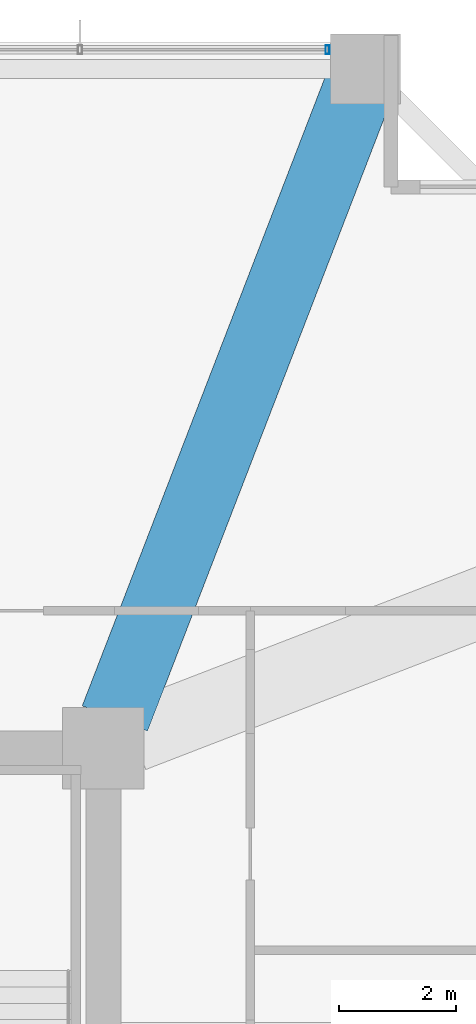
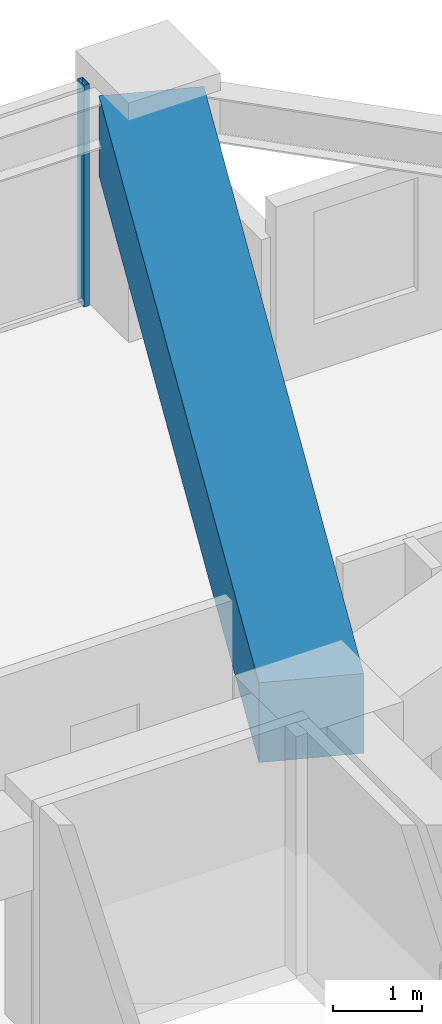
# One storey, part 25 of 37: 1 beam, 1 member, 1 element without a shape of its own.
"""IFC4 building model written with IfcOpenShell, lengths in metres."""

from ifc_helpers import new_model, si_unit, direction, frame, origin, origin_2d, place, context, subcontext, project, spatial, rectangle, hollow_rectangle, extrude, material, material_profile, profile_set, type_object, element, aggregate, save


model = new_model("IFC4")

# Units and contexts
model_context = context("Model", 3, precision=1e-05, world=origin(), true_north=direction((0.0, 1.0)))
body_context = subcontext(model_context, "Body", "Model", "MODEL_VIEW")
ifc_project = project(units=[si_unit("LENGTHUNIT", "METRE"), si_unit("AREAUNIT", "SQUARE_METRE"), si_unit("VOLUMEUNIT", "CUBIC_METRE"), si_unit("PLANEANGLEUNIT", "RADIAN"), si_unit("MASSUNIT", "GRAM", prefix="KILO")], contexts=[model_context])

# Site, building, storey
site_placement = place(None, origin())
site = spatial("IfcSite", under=ifc_project, at=site_placement, CompositionType="ELEMENT")
building_placement = place(site_placement, origin())
building = spatial("IfcBuilding", under=site, at=building_placement, Name="Kolvaren Belvedere", CompositionType="ELEMENT")
storey_placement = place(building_placement, frame((0.0, 0.0, 37.0)))
storey = spatial("IfcBuildingStorey", under=building, at=storey_placement, Name="L10", CompositionType="ELEMENT", Elevation=37.0)

# Beam
ifc_material_1 = material(Name="Concrete C50/60", Category="concrete")
ifc_material_profile_1 = material_profile(ifc_material_1, rectangle(XDim=1.199951171875, YDim=1.10009765625, at=origin_2d()), Name="RC 1200X1100")
ifc_profile_set_1 = profile_set([ifc_material_profile_1], Name="Concrete C50/60")
beam_type = type_object("IfcBeamType", Name="BM-TG-1100", PredefinedType="BEAM", material=ifc_profile_set_1)
beam_placement = place(storey_placement, frame((10.09814453125, 10.4130859375, 2.510009765625), z_axis=(0.360318391835, 0.932829382313, 0.0), x_axis=(-0.932829382313, 0.360318391835, 0.0)))
element("IfcBeam", 1, at=beam_placement, inside=storey, type_object=beam_type, Name="L10 Corner Core-to-Perimeter Girder CC3-N4", PredefinedType="BEAM", context=body_context, shape_type="SweptSolid", body=[
    extrude(rectangle(XDim=1.199951171875, YDim=1.10009765625, at=origin_2d()), origin(), (0.0, 0.0, 1.0), 11.698974609375),
])

# Curtain wall, member
ifc_material_2 = material(Name="Anodised pale-metal aluminium AA 6063-T6", Category="aluminium")
curtain_wall_type = type_object("IfcCurtainWallType", Name="CW-Z1-LOW", PredefinedType="NOTDEFINED", material=ifc_material_2)
curtain_wall_placement = place(storey_placement, origin())
curtain_wall = element("IfcCurtainWall", 2, at=curtain_wall_placement, inside=storey, type_object=curtain_wall_type, Name="L10 Unitised Curtain Wall FCW-L10-N-B3", PredefinedType="NOTDEFINED")
ifc_material_3 = material(Name="Anodised pale-metal aluminium AA 6063-T6", Category="aluminium")
ifc_material_profile_2 = material_profile(ifc_material_3, hollow_rectangle(XDim=0.070068359375, YDim=0.14990234375, WallThickness=0.004150390625, at=origin_2d()), Name="ALU-MUL-150X70")
ifc_profile_set_2 = profile_set([ifc_material_profile_2], Name="Anodised pale-metal aluminium AA 6063-T6")
member_type = type_object("IfcMemberType", Name="CW-MUL-150", PredefinedType="MULLION", material=ifc_profile_set_2)
member_placement = place(storey_placement, frame((13.7451171875, 21.8798828125, 0.0), z_axis=(0.0, 0.0, 1.0), x_axis=(1.0, 0.0, 0.0)))
member = element("IfcMember", 3, at=member_placement, type_object=member_type, Name="FCW-L10-N-B3 Unitised Mullion 3", PredefinedType="MULLION", context=body_context, shape_type="SweptSolid", body=[
    extrude(hollow_rectangle(XDim=0.070068359375, YDim=0.14990234375, WallThickness=0.004150390625, at=origin_2d()), origin(), (0.0, 0.0, 1.0), 3.06005859375),
])
aggregate(curtain_wall, [member])

save(model, "model.ifc")
